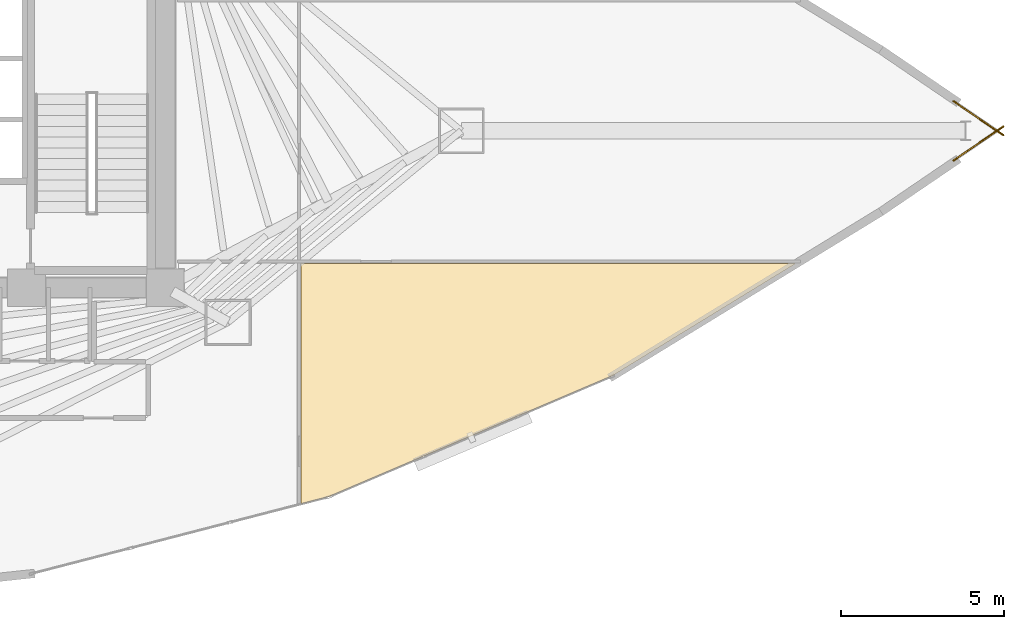
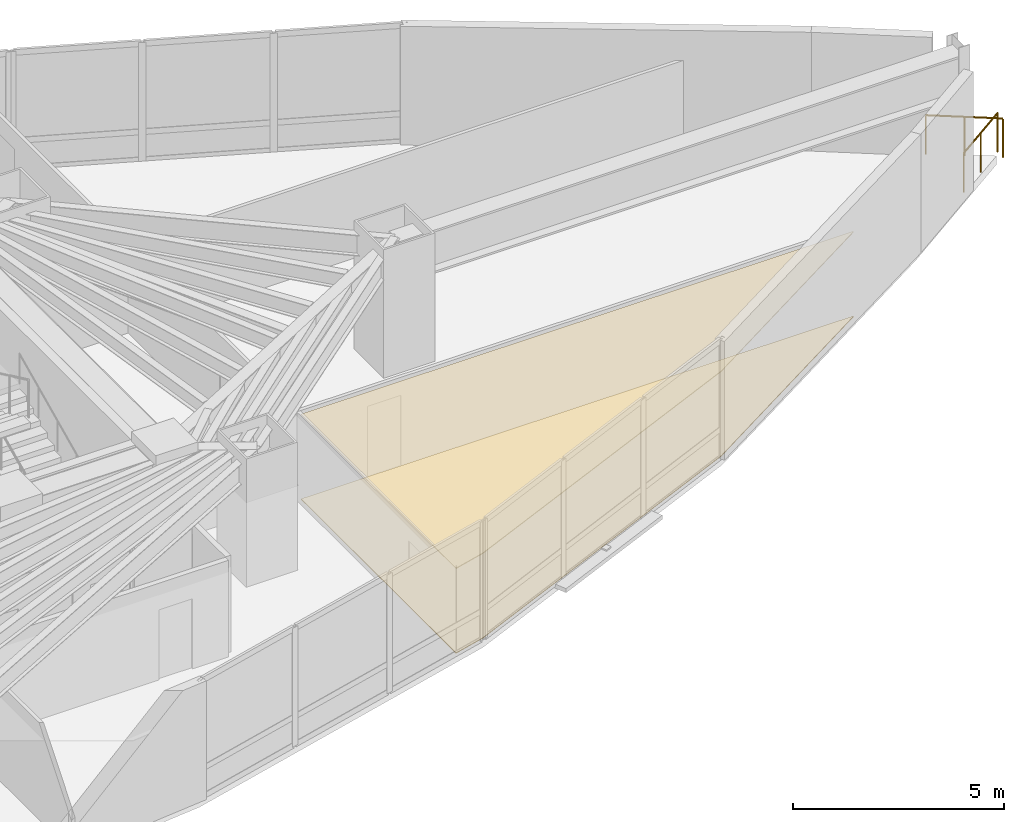
# One storey, part 20 of 20: 2 coverings, 2 railings.
"""IFC4 building model written with IfcOpenShell, lengths in metres."""

from ifc_helpers import new_model, si_unit, direction, frame, origin, origin_2d, place, context, subcontext, project, spatial, polyline, circle, outline, extrude, material, layer, layer_set, type_object, element, save


model = new_model("IFC4")

# Units and contexts
model_context = context("Model", 3, precision=1e-05, world=origin(), true_north=direction((0.0, 1.0)))
body_context = subcontext(model_context, "Body", "Model", "MODEL_VIEW")
ifc_project = project(units=[si_unit("LENGTHUNIT", "METRE"), si_unit("AREAUNIT", "SQUARE_METRE"), si_unit("VOLUMEUNIT", "CUBIC_METRE"), si_unit("PLANEANGLEUNIT", "RADIAN"), si_unit("MASSUNIT", "GRAM", prefix="KILO")], contexts=[model_context])

# Site, building, storey
site_placement = place(None, origin())
site = spatial("IfcSite", under=ifc_project, at=site_placement, CompositionType="ELEMENT")
building_placement = place(site_placement, origin())
building = spatial("IfcBuilding", under=site, at=building_placement, Name="Menara Vayukalpa", CompositionType="ELEMENT")
storey_placement = place(building_placement, frame((0.0, 0.0, 64.800048828125)))
storey = spatial("IfcBuildingStorey", under=building, at=storey_placement, Name="L15", CompositionType="ELEMENT", Elevation=64.800048828125)

# Coverings
ifc_material_1 = material(Name="Mineral Fibre Acoustic Ceiling Tile", Category="masonry")
ifc_layer_1 = layer(ifc_material_1, 0.02490234375)
ifc_layer_set_1 = layer_set([ifc_layer_1], Name="Mineral Fibre Acoustic Ceiling Tile")
covering_type_1 = type_object("IfcCoveringType", Name="COV-CLG1", PredefinedType="CEILING", material=ifc_layer_set_1)
covering_1_placement = place(storey_placement, frame((0.0, 0.0, 2.449951171875)))
element("IfcCovering", 1, at=covering_1_placement, inside=storey, type_object=covering_type_1, Name="L15 Open Plan Office Workplace Acoustic Ceiling", PredefinedType="CEILING", context=body_context, shape_type="SweptSolid", body=[
    extrude(outline(polyline([(38.416748046875, 10.803466796875), (38.416015625, 10.80322265625), (37.572509765625, 10.585205078125), (37.571533203125, 10.5849609375), (37.570556640625, 10.584716796875), (37.569580078125, 10.584716796875), (37.568603515625, 10.5849609375), (37.56787109375, 10.585205078125), (37.56689453125, 10.585205078125), (37.56591796875, 10.585693359375), (37.565185546875, 10.586181640625), (37.564208984375, 10.586669921875), (37.5634765625, 10.587158203125), (37.562744140625, 10.587890625), (37.562255859375, 10.588623046875), (37.5615234375, 10.58935546875), (37.56103515625, 10.590087890625), (37.560791015625, 10.591064453125), (37.560302734375, 10.592041015625), (37.560302734375, 10.593017578125), (37.56005859375, 10.59375), (37.56005859375, 10.5947265625), (37.56005859375, 17.929931640625), (37.56005859375, 17.930908203125), (37.560302734375, 17.931884765625), (37.560302734375, 17.932861328125), (37.560791015625, 17.933837890625), (37.561279296875, 17.934814453125), (37.561767578125, 17.935546875), (37.562255859375, 17.936279296875), (37.56298828125, 17.93701171875), (37.563720703125, 17.937744140625), (37.564453125, 17.938232421875), (37.565185546875, 17.938720703125), (37.566162109375, 17.939208984375), (37.567138671875, 17.939697265625), (37.568115234375, 17.939697265625), (37.569091796875, 17.93994140625), (37.570068359375, 17.93994140625), (52.676513671875, 17.93994140625), (52.677490234375, 17.93994140625), (52.6787109375, 17.939697265625), (52.679443359375, 17.939697265625), (52.680419921875, 17.939208984375), (52.681396484375, 17.938720703125), (52.68212890625, 17.938232421875), (52.68310546875, 17.937744140625), (52.683837890625, 17.93701171875), (52.684326171875, 17.936279296875), (52.68505859375, 17.935302734375), (52.685546875, 17.9345703125), (52.685791015625, 17.93359375), (52.686279296875, 17.9326171875), (52.686279296875, 17.931640625), (52.6865234375, 17.930908203125), (52.6865234375, 17.9296875), (52.6865234375, 17.9287109375), (52.686279296875, 17.927734375), (52.68603515625, 17.9267578125), (52.685791015625, 17.92578125), (52.685302734375, 17.925048828125), (52.684814453125, 17.92431640625), (52.68408203125, 17.92333984375), (52.683349609375, 17.922607421875), (52.6826171875, 17.922119140625), (52.681884765625, 17.92138671875), (47.093505859375, 14.5009765625), (47.09228515625, 14.500244140625), (38.41748046875, 10.8037109375), (38.416748046875, 10.803466796875)])), origin(), (0.0, 0.0, 1.0), 0.02490234375),
])
ifc_material_2 = material(Name="Porcelain Stoneware Floor Tile", Category="masonry")
ifc_layer_2 = layer(ifc_material_2, 0.02001953125)
ifc_layer_set_2 = layer_set([ifc_layer_2], Name="Porcelain Stoneware Floor Tile")
covering_type_2 = type_object("IfcCoveringType", Name="COV-FLR1", PredefinedType="FLOORING", material=ifc_layer_set_2)
covering_2_placement = place(storey_placement, origin())
element("IfcCovering", 2, at=covering_2_placement, inside=storey, type_object=covering_type_2, Name="L15 Open Plan Office Workplace Porcelain Flooring", PredefinedType="FLOORING", context=body_context, shape_type="SweptSolid", body=[
    extrude(outline(polyline([(38.416748046875, 10.803466796875), (38.416015625, 10.80322265625), (37.572509765625, 10.585205078125), (37.571533203125, 10.5849609375), (37.570556640625, 10.584716796875), (37.569580078125, 10.584716796875), (37.568603515625, 10.5849609375), (37.56787109375, 10.585205078125), (37.56689453125, 10.585205078125), (37.56591796875, 10.585693359375), (37.565185546875, 10.586181640625), (37.564208984375, 10.586669921875), (37.5634765625, 10.587158203125), (37.562744140625, 10.587890625), (37.562255859375, 10.588623046875), (37.5615234375, 10.58935546875), (37.56103515625, 10.590087890625), (37.560791015625, 10.591064453125), (37.560302734375, 10.592041015625), (37.560302734375, 10.593017578125), (37.56005859375, 10.59375), (37.56005859375, 10.5947265625), (37.56005859375, 17.929931640625), (37.56005859375, 17.930908203125), (37.560302734375, 17.931884765625), (37.560302734375, 17.932861328125), (37.560791015625, 17.933837890625), (37.561279296875, 17.934814453125), (37.561767578125, 17.935546875), (37.562255859375, 17.936279296875), (37.56298828125, 17.93701171875), (37.563720703125, 17.937744140625), (37.564453125, 17.938232421875), (37.565185546875, 17.938720703125), (37.566162109375, 17.939208984375), (37.567138671875, 17.939697265625), (37.568115234375, 17.939697265625), (37.569091796875, 17.93994140625), (37.570068359375, 17.93994140625), (52.676513671875, 17.93994140625), (52.677490234375, 17.93994140625), (52.6787109375, 17.939697265625), (52.679443359375, 17.939697265625), (52.680419921875, 17.939208984375), (52.681396484375, 17.938720703125), (52.68212890625, 17.938232421875), (52.68310546875, 17.937744140625), (52.683837890625, 17.93701171875), (52.684326171875, 17.936279296875), (52.68505859375, 17.935302734375), (52.685546875, 17.9345703125), (52.685791015625, 17.93359375), (52.686279296875, 17.9326171875), (52.686279296875, 17.931640625), (52.6865234375, 17.930908203125), (52.6865234375, 17.9296875), (52.6865234375, 17.9287109375), (52.686279296875, 17.927734375), (52.68603515625, 17.9267578125), (52.685791015625, 17.92578125), (52.685302734375, 17.925048828125), (52.684814453125, 17.92431640625), (52.68408203125, 17.92333984375), (52.683349609375, 17.922607421875), (52.6826171875, 17.922119140625), (52.681884765625, 17.92138671875), (47.093505859375, 14.5009765625), (47.09228515625, 14.500244140625), (38.41748046875, 10.8037109375), (38.416748046875, 10.803466796875)])), origin(), (0.0, 0.0, 1.0), 0.02001953125),
])

# Railings
ifc_material_3 = material(Name="Laminated Glass and Stainless Steel 316 Guardrail", Category="steel")
railing_type = type_object("IfcRailingType", Name="RLG-EXT115", PredefinedType="GUARDRAIL", material=ifc_material_3)
railing_1_placement = place(storey_placement, frame((57.538818359375, 21.094970703125, 0.0)))
element("IfcRailing", 3, at=railing_1_placement, inside=storey, type_object=railing_type, Name="L15 Column Corner Spandrel Guardrail 01-1", PredefinedType="GUARDRAIL", context=body_context, shape_type="SweptSolid", body=[
    extrude(circle(Radius=0.02392578125, at=origin_2d()), frame((0.0, 0.0, 1.1259765625), z_axis=(0.826731715225, 0.562596366004, 0.0), x_axis=(-0.562596366004, 0.826731715225, 0.0)), (0.0, 0.0, 1.0), 1.842041015625),
    extrude(circle(Radius=0.02099609375, at=origin_2d()), origin(), (0.0, 0.0, 1.0), 1.101806640625),
    extrude(circle(Radius=0.02099609375, at=origin_2d()), frame((0.761474609375, 0.51806640625, 0.0)), (0.0, 0.0, 1.0), 1.101806640625),
    extrude(circle(Radius=0.02099609375, at=origin_2d()), frame((1.52294921875, 1.036376953125, 0.0)), (0.0, 0.0, 1.0), 1.101806640625),
])
railing_2_placement = place(storey_placement, frame((59.061767578125, 21.86865234375, 0.0)))
element("IfcRailing", 4, at=railing_2_placement, inside=storey, type_object=railing_type, Name="L15 Column Corner Spandrel Guardrail 02-1", PredefinedType="GUARDRAIL", context=body_context, shape_type="SweptSolid", body=[
    extrude(circle(Radius=0.02392578125, at=origin_2d()), frame((0.0, 0.0, 1.1259765625), z_axis=(-0.826731715225, 0.562596366004, 0.0), x_axis=(-0.562596366004, -0.826731715225, 0.0)), (0.0, 0.0, 1.0), 1.842041015625),
    extrude(circle(Radius=0.02099609375, at=origin_2d()), origin(), (0.0, 0.0, 1.0), 1.101806640625),
    extrude(circle(Radius=0.02099609375, at=origin_2d()), frame((-0.761474609375, 0.51806640625, 0.0)), (0.0, 0.0, 1.0), 1.101806640625),
    extrude(circle(Radius=0.02099609375, at=origin_2d()), frame((-1.52294921875, 1.036376953125, 0.0)), (0.0, 0.0, 1.0), 1.101806640625),
])

save(model, "model.ifc")
